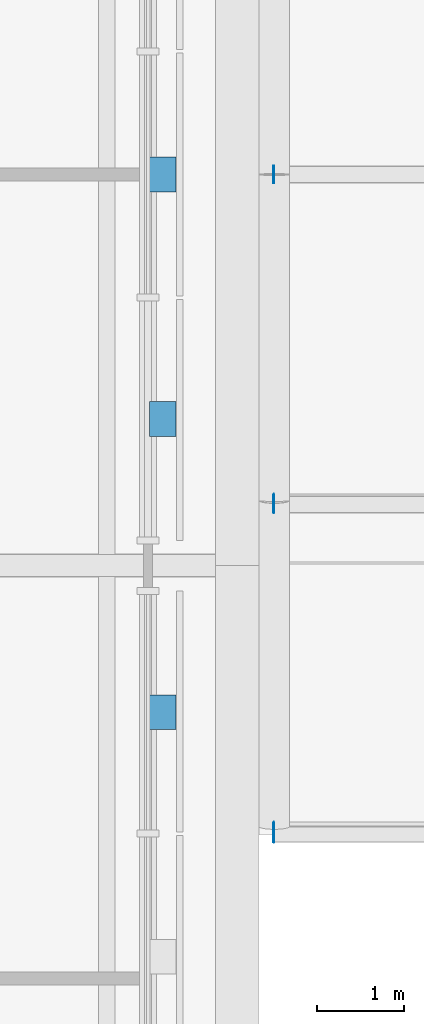
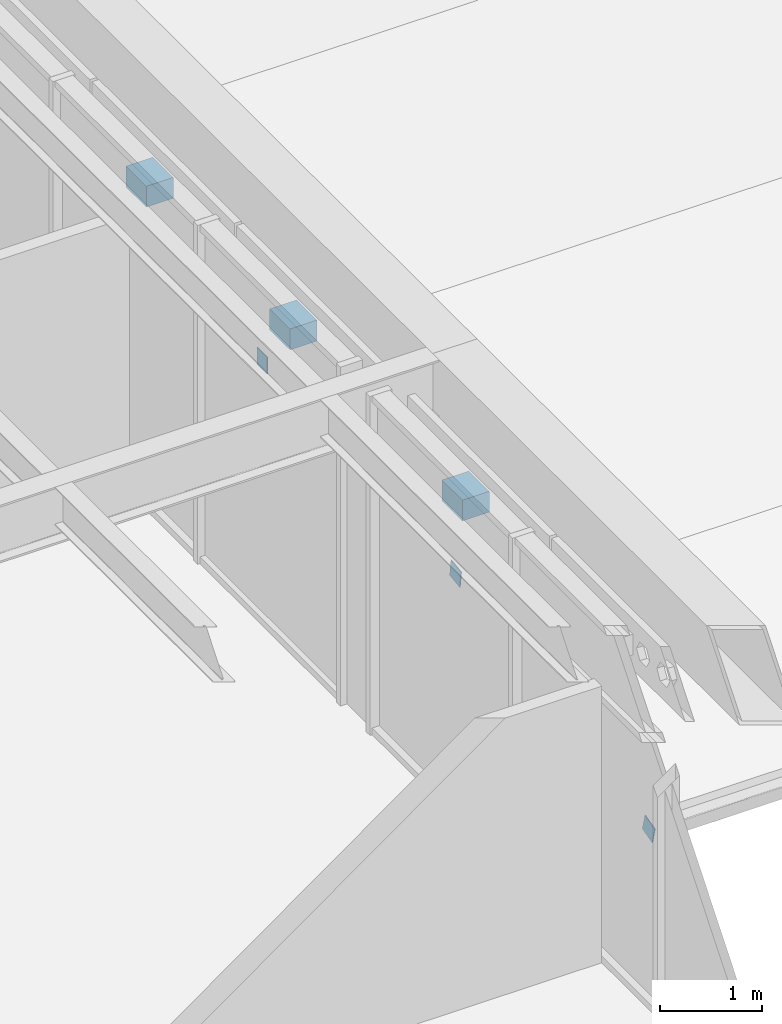
# One storey, part 28 of 43: 6 discrete accessories.
"""IFC4 building model written with IfcOpenShell, lengths in metres."""

from ifc_helpers import new_model, si_unit, direction, frame, origin, origin_2d, place, context, subcontext, project, spatial, rectangle, extrude, material, type_object, element, save


model = new_model("IFC4")

# Units and contexts
model_context = context("Model", 3, precision=1e-05, world=origin(), true_north=direction((0.0, 1.0)))
body_context = subcontext(model_context, "Body", "Model", "MODEL_VIEW")
ifc_project = project(units=[si_unit("LENGTHUNIT", "METRE"), si_unit("AREAUNIT", "SQUARE_METRE"), si_unit("VOLUMEUNIT", "CUBIC_METRE"), si_unit("PLANEANGLEUNIT", "RADIAN"), si_unit("MASSUNIT", "GRAM", prefix="KILO")], contexts=[model_context])

# Site, building, storey
site_placement = place(None, origin())
site = spatial("IfcSite", under=ifc_project, at=site_placement, CompositionType="ELEMENT")
building_placement = place(site_placement, origin())
building = spatial("IfcBuilding", under=site, at=building_placement, Name="Baradari Gate Terminus", CompositionType="ELEMENT")
storey_placement = place(building_placement, frame((0.0, 0.0, 20.10009765625)))
storey = spatial("IfcBuildingStorey", under=building, at=storey_placement, Name="L04", CompositionType="ELEMENT", Elevation=20.10009765625)

# Discrete accessories
ifc_material_1 = material(Name="Steel S355", Category="steel")
discrete_accessory_type_1 = type_object("IfcDiscreteAccessoryType", Name="Hollow section end plate EP-1 200x200x10", PredefinedType="ANCHORPLATE", material=ifc_material_1)
for number, where, z_axis, x_axis, name in (
    (1, (90.417724609375, 50.931884765625, -0.006591796875), (1.0, 0.0, 0.0), (0.0, 0.966499648767, 0.256667935149), "End plate EP-1 at the start of TR/L04/B99-PU04"),
    (2, (90.417724609375, 54.715087890625, 0.75), (1.0, 0.0, 0.0), (0.0, 0.99130302961, 0.131599025396), "End plate EP-1 at the start of TR/L04/B99-PU05"),
    (3, (90.417724609375, 58.5, 1.002197265625), (1.0, 0.0, 0.0), (0.0, 1.0, 0.0), "End plate EP-1 at the start of TR/L04/B99-PU06"),
):
    element("IfcDiscreteAccessory", number, at=place(storey_placement, frame(where, z_axis=z_axis, x_axis=x_axis)), inside=storey, type_object=discrete_accessory_type_1, Name=name, PredefinedType="ANCHORPLATE", context=body_context, shape_type="SweptSolid", body=[
        extrude(rectangle(XDim=0.199951171875, YDim=0.199951171875, at=origin_2d()), origin(), (0.0, 0.0, 1.0), 0.010009765625),
    ])
ifc_material_2 = material(Name="Stainless steel 316", Category="steel")
discrete_accessory_type_2 = type_object("IfcDiscreteAccessoryType", Name="Jali screen bracket BK-2 stainless steel", PredefinedType="BRACKET", material=ifc_material_2)
for number, where, z_axis, x_axis, name in (
    (4, (89.1474609375, 52.313232421875, 3.454833984375), (0.0, 0.0, 1.0), (1.0, 0.0, 0.0), "Jali screen bracket BK-2 L04/GE2 bay 3"),
    (5, (89.1474609375, 55.686767578125, 3.454833984375), (0.0, 0.0, 1.0), (1.0, 0.0, 0.0), "Jali screen bracket BK-2 L04/GE3 bay 1"),
    (6, (89.1474609375, 58.5, 3.454833984375), (0.0, 0.0, 1.0), (1.0, 0.0, 0.0), "Jali screen bracket BK-2 L04/GE3 bay 2"),
):
    element("IfcDiscreteAccessory", number, at=place(storey_placement, frame(where, z_axis=z_axis, x_axis=x_axis)), inside=storey, type_object=discrete_accessory_type_2, Name=name, PredefinedType="BRACKET", context=body_context, shape_type="SweptSolid", body=[
        extrude(rectangle(XDim=0.304931640625, YDim=0.39990234375, at=origin_2d()), origin(), (0.0, 0.0, 1.0), 0.25),
    ])

save(model, "model.ifc")
